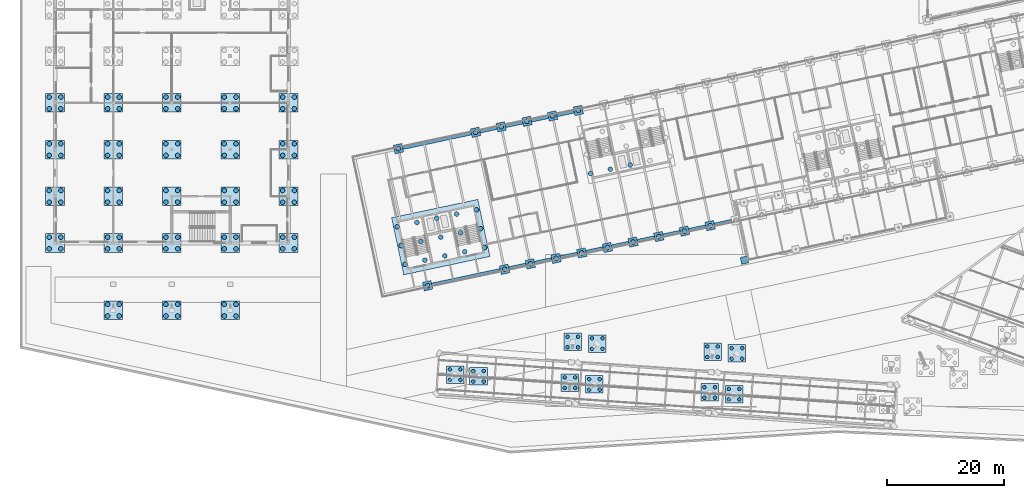
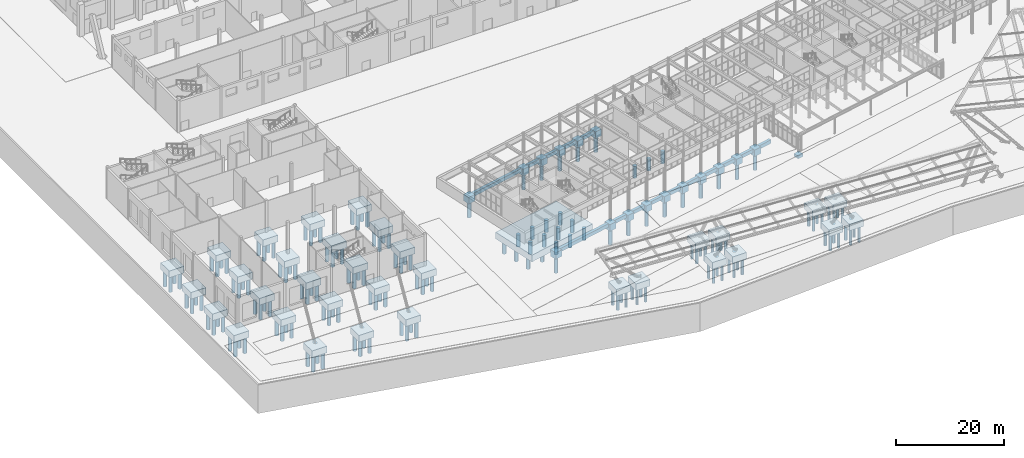
# One storey, part 1 of 239: 166 piles, 66 footings.
"""IFC4 building model written with IfcOpenShell, lengths in metres."""

from ifc_helpers import new_model, si_unit, direction, frame, origin, origin_2d, place, context, subcontext, project, spatial, rectangle, circle, extrude, material, material_profile, profile_set, type_object, element, save


model = new_model("IFC4")

# Units and contexts
model_context = context("Model", 3, precision=1e-05, world=origin(), true_north=direction((0.0, 1.0)))
body_context = subcontext(model_context, "Body", "Model", "MODEL_VIEW")
ifc_project = project(units=[si_unit("LENGTHUNIT", "METRE"), si_unit("AREAUNIT", "SQUARE_METRE"), si_unit("VOLUMEUNIT", "CUBIC_METRE"), si_unit("PLANEANGLEUNIT", "RADIAN"), si_unit("MASSUNIT", "GRAM", prefix="KILO")], contexts=[model_context])

# Site, building, storey
site_placement = place(None, origin())
site = spatial("IfcSite", under=ifc_project, at=site_placement, CompositionType="ELEMENT")
building_placement = place(site_placement, origin())
building = spatial("IfcBuilding", under=site, at=building_placement, Name="Okhra Congress Centre", CompositionType="ELEMENT")
storey_placement = place(building_placement, origin())
storey = spatial("IfcBuildingStorey", under=building, at=storey_placement, Name="L00", CompositionType="ELEMENT", Elevation=0.0)

# Piles
ifc_material_1 = material(Name="Concrete C30/37", Category="concrete")
ifc_material_profile_1 = material_profile(ifc_material_1, circle(Radius=0.300048828125, at=origin_2d()), Name="D600")
ifc_profile_set_1 = profile_set([ifc_material_profile_1], Name="Concrete C30/37")
pile_type_1 = type_object("IfcPileType", Name="Bored pile D600 C30/37", PredefinedType="BORED", material=ifc_profile_set_1)
for number, where, z_axis, x_axis, name in (
    (1, (73.651123046875, 12.541015625, -1.800048828125), (0.0, 0.0, -1.0), (1.0, 0.0, 0.0), "ST.PILE.L00.arcade-1-1"),
    (2, (75.451171875, 12.541015625, -1.800048828125), (0.0, 0.0, -1.0), (1.0, 0.0, 0.0), "ST.PILE.L00.arcade-1-2"),
    (3, (73.651123046875, 14.3408203125, -1.800048828125), (0.0, 0.0, -1.0), (1.0, 0.0, 0.0), "ST.PILE.L00.arcade-1-3"),
    (4, (75.451171875, 14.3408203125, -1.800048828125), (0.0, 0.0, -1.0), (1.0, 0.0, 0.0), "ST.PILE.L00.arcade-1-4"),
    (5, (77.641357421875, 12.261962890625, -1.800048828125), (0.0, 0.0, -1.0), (1.0, 0.0, 0.0), "ST.PILE.L00.arcade-2-1"),
    (6, (79.44140625, 12.261962890625, -1.800048828125), (0.0, 0.0, -1.0), (1.0, 0.0, 0.0), "ST.PILE.L00.arcade-2-2"),
    (7, (77.641357421875, 14.061767578125, -1.800048828125), (0.0, 0.0, -1.0), (1.0, 0.0, 0.0), "ST.PILE.L00.arcade-2-3"),
    (8, (79.44140625, 14.061767578125, -1.800048828125), (0.0, 0.0, -1.0), (1.0, 0.0, 0.0), "ST.PILE.L00.arcade-2-4"),
    (9, (93.30322265625, 11.166748046875, -1.800048828125), (0.0, 0.0, -1.0), (1.0, 0.0, 0.0), "ST.PILE.L00.arcade-3-1"),
    (10, (95.10302734375, 11.166748046875, -1.800048828125), (0.0, 0.0, -1.0), (1.0, 0.0, 0.0), "ST.PILE.L00.arcade-3-2"),
    (11, (93.30322265625, 12.966796875, -1.800048828125), (0.0, 0.0, -1.0), (1.0, 0.0, 0.0), "ST.PILE.L00.arcade-3-3"),
    (12, (95.10302734375, 12.966796875, -1.800048828125), (0.0, 0.0, -1.0), (1.0, 0.0, 0.0), "ST.PILE.L00.arcade-3-4"),
    (13, (97.492919921875, 10.873779296875, -1.800048828125), (0.0, 0.0, -1.0), (1.0, 0.0, 0.0), "ST.PILE.L00.arcade-4-1"),
    (14, (99.29296875, 10.873779296875, -1.800048828125), (0.0, 0.0, -1.0), (1.0, 0.0, 0.0), "ST.PILE.L00.arcade-4-2"),
    (15, (97.492919921875, 12.673828125, -1.800048828125), (0.0, 0.0, -1.0), (1.0, 0.0, 0.0), "ST.PILE.L00.arcade-4-3"),
    (16, (99.29296875, 12.673828125, -1.800048828125), (0.0, 0.0, -1.0), (1.0, 0.0, 0.0), "ST.PILE.L00.arcade-4-4"),
    (17, (93.79150390625, 18.149658203125, -1.800048828125), (0.0, 0.0, -1.0), (1.0, 0.0, 0.0), "ST.PILE.L00.arcade-5-1"),
    (18, (95.59130859375, 18.149658203125, -1.800048828125), (0.0, 0.0, -1.0), (1.0, 0.0, 0.0), "ST.PILE.L00.arcade-5-2"),
    (19, (93.79150390625, 19.94970703125, -1.800048828125), (0.0, 0.0, -1.0), (1.0, 0.0, 0.0), "ST.PILE.L00.arcade-5-3"),
    (20, (95.59130859375, 19.94970703125, -1.800048828125), (0.0, 0.0, -1.0), (1.0, 0.0, 0.0), "ST.PILE.L00.arcade-5-4"),
    (21, (97.981201171875, 17.856689453125, -1.800048828125), (0.0, 0.0, -1.0), (1.0, 0.0, 0.0), "ST.PILE.L00.arcade-6-1"),
    (22, (99.78125, 17.856689453125, -1.800048828125), (0.0, 0.0, -1.0), (1.0, 0.0, 0.0), "ST.PILE.L00.arcade-6-2"),
    (23, (97.981201171875, 19.65673828125, -1.800048828125), (0.0, 0.0, -1.0), (1.0, 0.0, 0.0), "ST.PILE.L00.arcade-6-3"),
    (24, (99.78125, 19.65673828125, -1.800048828125), (0.0, 0.0, -1.0), (1.0, 0.0, 0.0), "ST.PILE.L00.arcade-6-4"),
    (25, (117.24462890625, 9.49267578125, -1.800048828125), (0.0, 0.0, -1.0), (1.0, 0.0, 0.0), "ST.PILE.L00.arcade-7-1"),
    (26, (119.044677734375, 9.49267578125, -1.800048828125), (0.0, 0.0, -1.0), (1.0, 0.0, 0.0), "ST.PILE.L00.arcade-7-2"),
    (27, (117.24462890625, 11.29248046875, -1.800048828125), (0.0, 0.0, -1.0), (1.0, 0.0, 0.0), "ST.PILE.L00.arcade-7-3"),
    (28, (119.044677734375, 11.29248046875, -1.800048828125), (0.0, 0.0, -1.0), (1.0, 0.0, 0.0), "ST.PILE.L00.arcade-7-4"),
    (29, (121.434326171875, 9.199462890625, -1.800048828125), (0.0, 0.0, -1.0), (1.0, 0.0, 0.0), "ST.PILE.L00.arcade-8-1"),
    (30, (123.234375, 9.199462890625, -1.800048828125), (0.0, 0.0, -1.0), (1.0, 0.0, 0.0), "ST.PILE.L00.arcade-8-2"),
    (31, (121.434326171875, 10.99951171875, -1.800048828125), (0.0, 0.0, -1.0), (1.0, 0.0, 0.0), "ST.PILE.L00.arcade-8-3"),
    (32, (123.234375, 10.99951171875, -1.800048828125), (0.0, 0.0, -1.0), (1.0, 0.0, 0.0), "ST.PILE.L00.arcade-8-4"),
    (33, (117.73291015625, 16.4755859375, -1.800048828125), (0.0, 0.0, -1.0), (1.0, 0.0, 0.0), "ST.PILE.L00.arcade-9-1"),
    (34, (119.532958984375, 16.4755859375, -1.800048828125), (0.0, 0.0, -1.0), (1.0, 0.0, 0.0), "ST.PILE.L00.arcade-9-2"),
    (35, (117.73291015625, 18.275390625, -1.800048828125), (0.0, 0.0, -1.0), (1.0, 0.0, 0.0), "ST.PILE.L00.arcade-9-3"),
    (36, (119.532958984375, 18.275390625, -1.800048828125), (0.0, 0.0, -1.0), (1.0, 0.0, 0.0), "ST.PILE.L00.arcade-9-4"),
    (37, (121.922607421875, 16.1826171875, -1.800048828125), (0.0, 0.0, -1.0), (1.0, 0.0, 0.0), "ST.PILE.L00.arcade-10-1"),
    (38, (123.72265625, 16.1826171875, -1.800048828125), (0.0, 0.0, -1.0), (1.0, 0.0, 0.0), "ST.PILE.L00.arcade-10-2"),
    (39, (121.922607421875, 17.982421875, -1.800048828125), (0.0, 0.0, -1.0), (1.0, 0.0, 0.0), "ST.PILE.L00.arcade-10-3"),
    (40, (123.72265625, 17.982421875, -1.800048828125), (0.0, 0.0, -1.0), (1.0, 0.0, 0.0), "ST.PILE.L00.arcade-10-4"),
):
    element("IfcPile", number, at=place(storey_placement, frame(where, z_axis=z_axis, x_axis=x_axis)), inside=storey, type_object=pile_type_1, Name=name, PredefinedType="BORED", context=body_context, shape_type="SweptSolid", body=[
        extrude(circle(Radius=0.300048828125, at=origin_2d()), origin(), (0.0, 0.0, 1.0), 3.699951171875),
    ])
ifc_material_profile_2 = material_profile(ifc_material_1, circle(Radius=0.39990234375, at=origin_2d()), Name="D800")
ifc_profile_set_2 = profile_set([ifc_material_profile_2], Name="Concrete C30/37")
pile_type_2 = type_object("IfcPileType", Name="Bored pile D800", PredefinedType="BORED", material=ifc_profile_set_2)
for number, where, z_axis, x_axis, name in (
    (41, (69.814208984375, 28.680419921875, -1.800048828125), (0.0, 0.0, -1.0), (1.0, 0.0, 0.0), "Pile 1S"),
    (42, (64.824462890625, 52.156005859375, -1.800048828125), (0.0, 0.0, -1.0), (1.0, 0.0, 0.0), "Pile 1N"),
    (43, (83.019287109375, 31.4873046875, -1.800048828125), (0.0, 0.0, -1.0), (1.0, 0.0, 0.0), "Pile 2S"),
    (44, (78.029541015625, 54.962890625, -1.800048828125), (0.0, 0.0, -1.0), (1.0, 0.0, 0.0), "Pile 2N"),
    (45, (87.4208984375, 32.4228515625, -1.800048828125), (0.0, 0.0, -1.0), (1.0, 0.0, 0.0), "Pile 3S"),
    (46, (82.43115234375, 55.8984375, -1.800048828125), (0.0, 0.0, -1.0), (1.0, 0.0, 0.0), "Pile 3N"),
    (47, (91.82275390625, 33.3583984375, -1.800048828125), (0.0, 0.0, -1.0), (1.0, 0.0, 0.0), "Pile 4S"),
    (48, (86.832763671875, 56.833984375, -1.800048828125), (0.0, 0.0, -1.0), (1.0, 0.0, 0.0), "Pile 4N"),
    (49, (96.224365234375, 34.2939453125, -1.800048828125), (0.0, 0.0, -1.0), (1.0, 0.0, 0.0), "Pile 5S"),
    (50, (91.234375, 57.76953125, -1.800048828125), (0.0, 0.0, -1.0), (1.0, 0.0, 0.0), "Pile 5N"),
    (51, (100.6259765625, 35.229736328125, -1.800048828125), (0.0, 0.0, -1.0), (1.0, 0.0, 0.0), "Pile 6S"),
    (52, (95.635986328125, 58.705322265625, -1.800048828125), (0.0, 0.0, -1.0), (1.0, 0.0, 0.0), "Pile 6N"),
    (53, (105.027587890625, 36.165283203125, -1.800048828125), (0.0, 0.0, -1.0), (1.0, 0.0, 0.0), "Pile 7S"),
    (54, (109.42919921875, 37.100830078125, -1.800048828125), (0.0, 0.0, -1.0), (1.0, 0.0, 0.0), "Pile 8S"),
    (55, (113.8310546875, 38.036376953125, -1.800048828125), (0.0, 0.0, -1.0), (1.0, 0.0, 0.0), "Pile 9S"),
    (56, (118.232666015625, 38.97216796875, -1.800048828125), (0.0, 0.0, -1.0), (1.0, 0.0, 0.0), "Pile 10S"),
):
    element("IfcPile", number, at=place(storey_placement, frame(where, z_axis=z_axis, x_axis=x_axis)), inside=storey, type_object=pile_type_2, Name=name, PredefinedType="BORED", context=body_context, shape_type="SweptSolid", body=[
        extrude(circle(Radius=0.39990234375, at=origin_2d()), origin(), (0.0, 0.0, 1.0), 3.699951171875),
    ])
for number, where, z_axis, x_axis, name in (
    (57, (65.97021484375, 32.336181640625, -2.800048828125), (0.0, 0.0, -1.0), (1.0, 0.0, 0.0), "Core pile 1.1"),
    (58, (65.2841796875, 35.56396484375, -2.800048828125), (0.0, 0.0, -1.0), (1.0, 0.0, 0.0), "Core pile 1.2"),
    (59, (64.59814453125, 38.7919921875, -2.800048828125), (0.0, 0.0, -1.0), (1.0, 0.0, 0.0), "Core pile 1.3"),
    (60, (69.369384765625, 33.05859375, -2.800048828125), (0.0, 0.0, -1.0), (1.0, 0.0, 0.0), "Core pile 1.4"),
    (61, (68.68310546875, 36.286376953125, -2.800048828125), (0.0, 0.0, -1.0), (1.0, 0.0, 0.0), "Core pile 1.5"),
    (62, (67.9970703125, 39.514404296875, -2.800048828125), (0.0, 0.0, -1.0), (1.0, 0.0, 0.0), "Core pile 1.6"),
    (63, (72.768310546875, 33.781005859375, -2.800048828125), (0.0, 0.0, -1.0), (1.0, 0.0, 0.0), "Core pile 1.7"),
    (64, (72.082275390625, 37.009033203125, -2.800048828125), (0.0, 0.0, -1.0), (1.0, 0.0, 0.0), "Core pile 1.8"),
    (65, (71.396240234375, 40.23681640625, -2.800048828125), (0.0, 0.0, -1.0), (1.0, 0.0, 0.0), "Core pile 1.9"),
    (66, (76.16748046875, 34.503662109375, -2.800048828125), (0.0, 0.0, -1.0), (1.0, 0.0, 0.0), "Core pile 1.10"),
    (67, (75.4814453125, 37.7314453125, -2.800048828125), (0.0, 0.0, -1.0), (1.0, 0.0, 0.0), "Core pile 1.11"),
    (68, (74.795166015625, 40.95947265625, -2.800048828125), (0.0, 0.0, -1.0), (1.0, 0.0, 0.0), "Core pile 1.12"),
    (69, (79.56640625, 35.22607421875, -2.800048828125), (0.0, 0.0, -1.0), (1.0, 0.0, 0.0), "Core pile 1.13"),
    (70, (78.88037109375, 38.453857421875, -2.800048828125), (0.0, 0.0, -1.0), (1.0, 0.0, 0.0), "Core pile 1.14"),
    (71, (78.1943359375, 41.681884765625, -2.800048828125), (0.0, 0.0, -1.0), (1.0, 0.0, 0.0), "Core pile 1.15"),
    (72, (97.72216796875, 47.928466796875, -2.800048828125), (0.0, 0.0, -1.0), (1.0, 0.0, 0.0), "Core pile 2.1"),
    (73, (101.121337890625, 48.65087890625, -2.800048828125), (0.0, 0.0, -1.0), (1.0, 0.0, 0.0), "Core pile 2.4"),
    (74, (104.5205078125, 49.37353515625, -2.800048828125), (0.0, 0.0, -1.0), (1.0, 0.0, 0.0), "Core pile 2.7"),
):
    element("IfcPile", number, at=place(storey_placement, frame(where, z_axis=z_axis, x_axis=x_axis)), inside=storey, type_object=pile_type_2, Name=name, PredefinedType="BORED", context=body_context, shape_type="SweptSolid", body=[
        extrude(circle(Radius=0.39990234375, at=origin_2d()), origin(), (0.0, 0.0, 1.0), 2.699951171875),
    ])
ifc_material_profile_3 = material_profile(ifc_material_1, circle(Radius=0.39990234375, at=origin_2d()), Name="D800")
ifc_profile_set_3 = profile_set([ifc_material_profile_3], Name="Concrete C30/37")
pile_type_3 = type_object("IfcPileType", Name="Bored pile D800 C30/37", PredefinedType="BORED", material=ifc_profile_set_3)
for number, where, z_axis, x_axis, name in (
    (75, (5.0, 35.0, -1.800048828125), (0.0, 0.0, -1.0), (1.0, 0.0, 0.0), "RS.PILE.L00.1.1"),
    (76, (7.0, 35.0, -1.800048828125), (0.0, 0.0, -1.0), (1.0, 0.0, 0.0), "RS.PILE.L00.1.2"),
    (77, (5.0, 37.0, -1.800048828125), (0.0, 0.0, -1.0), (1.0, 0.0, 0.0), "RS.PILE.L00.1.3"),
    (78, (7.0, 37.0, -1.800048828125), (0.0, 0.0, -1.0), (1.0, 0.0, 0.0), "RS.PILE.L00.1.4"),
    (79, (5.0, 43.0, -1.800048828125), (0.0, 0.0, -1.0), (1.0, 0.0, 0.0), "RS.PILE.L00.2.1"),
    (80, (7.0, 43.0, -1.800048828125), (0.0, 0.0, -1.0), (1.0, 0.0, 0.0), "RS.PILE.L00.2.2"),
    (81, (5.0, 45.0, -1.800048828125), (0.0, 0.0, -1.0), (1.0, 0.0, 0.0), "RS.PILE.L00.2.3"),
    (82, (7.0, 45.0, -1.800048828125), (0.0, 0.0, -1.0), (1.0, 0.0, 0.0), "RS.PILE.L00.2.4"),
    (83, (5.0, 51.0, -1.800048828125), (0.0, 0.0, -1.0), (1.0, 0.0, 0.0), "RS.PILE.L00.3.1"),
    (84, (7.0, 51.0, -1.800048828125), (0.0, 0.0, -1.0), (1.0, 0.0, 0.0), "RS.PILE.L00.3.2"),
    (85, (5.0, 53.0, -1.800048828125), (0.0, 0.0, -1.0), (1.0, 0.0, 0.0), "RS.PILE.L00.3.3"),
    (86, (7.0, 53.0, -1.800048828125), (0.0, 0.0, -1.0), (1.0, 0.0, 0.0), "RS.PILE.L00.3.4"),
    (87, (5.0, 59.0, -1.800048828125), (0.0, 0.0, -1.0), (1.0, 0.0, 0.0), "RS.PILE.L00.4.1"),
    (88, (7.0, 59.0, -1.800048828125), (0.0, 0.0, -1.0), (1.0, 0.0, 0.0), "RS.PILE.L00.4.2"),
    (89, (5.0, 61.0, -1.800048828125), (0.0, 0.0, -1.0), (1.0, 0.0, 0.0), "RS.PILE.L00.4.3"),
    (90, (7.0, 61.0, -1.800048828125), (0.0, 0.0, -1.0), (1.0, 0.0, 0.0), "RS.PILE.L00.4.4"),
    (91, (15.0, 35.0, -1.800048828125), (0.0, 0.0, -1.0), (1.0, 0.0, 0.0), "RS.PILE.L00.8.1"),
    (92, (17.0, 35.0, -1.800048828125), (0.0, 0.0, -1.0), (1.0, 0.0, 0.0), "RS.PILE.L00.8.2"),
    (93, (15.0, 37.0, -1.800048828125), (0.0, 0.0, -1.0), (1.0, 0.0, 0.0), "RS.PILE.L00.8.3"),
    (94, (17.0, 37.0, -1.800048828125), (0.0, 0.0, -1.0), (1.0, 0.0, 0.0), "RS.PILE.L00.8.4"),
    (95, (15.0, 43.0, -1.800048828125), (0.0, 0.0, -1.0), (1.0, 0.0, 0.0), "RS.PILE.L00.9.1"),
    (96, (17.0, 43.0, -1.800048828125), (0.0, 0.0, -1.0), (1.0, 0.0, 0.0), "RS.PILE.L00.9.2"),
    (97, (15.0, 45.0, -1.800048828125), (0.0, 0.0, -1.0), (1.0, 0.0, 0.0), "RS.PILE.L00.9.3"),
    (98, (17.0, 45.0, -1.800048828125), (0.0, 0.0, -1.0), (1.0, 0.0, 0.0), "RS.PILE.L00.9.4"),
    (99, (15.0, 51.0, -1.800048828125), (0.0, 0.0, -1.0), (1.0, 0.0, 0.0), "RS.PILE.L00.10.1"),
    (100, (17.0, 51.0, -1.800048828125), (0.0, 0.0, -1.0), (1.0, 0.0, 0.0), "RS.PILE.L00.10.2"),
    (101, (15.0, 53.0, -1.800048828125), (0.0, 0.0, -1.0), (1.0, 0.0, 0.0), "RS.PILE.L00.10.3"),
    (102, (17.0, 53.0, -1.800048828125), (0.0, 0.0, -1.0), (1.0, 0.0, 0.0), "RS.PILE.L00.10.4"),
    (103, (15.0, 59.0, -1.800048828125), (0.0, 0.0, -1.0), (1.0, 0.0, 0.0), "RS.PILE.L00.11.1"),
    (104, (17.0, 59.0, -1.800048828125), (0.0, 0.0, -1.0), (1.0, 0.0, 0.0), "RS.PILE.L00.11.2"),
    (105, (15.0, 61.0, -1.800048828125), (0.0, 0.0, -1.0), (1.0, 0.0, 0.0), "RS.PILE.L00.11.3"),
    (106, (17.0, 61.0, -1.800048828125), (0.0, 0.0, -1.0), (1.0, 0.0, 0.0), "RS.PILE.L00.11.4"),
    (107, (25.0, 35.0, -1.800048828125), (0.0, 0.0, -1.0), (1.0, 0.0, 0.0), "RS.PILE.L00.15.1"),
    (108, (27.0, 35.0, -1.800048828125), (0.0, 0.0, -1.0), (1.0, 0.0, 0.0), "RS.PILE.L00.15.2"),
    (109, (25.0, 37.0, -1.800048828125), (0.0, 0.0, -1.0), (1.0, 0.0, 0.0), "RS.PILE.L00.15.3"),
    (110, (27.0, 37.0, -1.800048828125), (0.0, 0.0, -1.0), (1.0, 0.0, 0.0), "RS.PILE.L00.15.4"),
    (111, (25.0, 43.0, -1.800048828125), (0.0, 0.0, -1.0), (1.0, 0.0, 0.0), "RS.PILE.L00.16.1"),
    (112, (27.0, 43.0, -1.800048828125), (0.0, 0.0, -1.0), (1.0, 0.0, 0.0), "RS.PILE.L00.16.2"),
    (113, (25.0, 45.0, -1.800048828125), (0.0, 0.0, -1.0), (1.0, 0.0, 0.0), "RS.PILE.L00.16.3"),
    (114, (27.0, 45.0, -1.800048828125), (0.0, 0.0, -1.0), (1.0, 0.0, 0.0), "RS.PILE.L00.16.4"),
    (115, (25.0, 51.0, -1.800048828125), (0.0, 0.0, -1.0), (1.0, 0.0, 0.0), "RS.PILE.L00.17.1"),
    (116, (27.0, 51.0, -1.800048828125), (0.0, 0.0, -1.0), (1.0, 0.0, 0.0), "RS.PILE.L00.17.2"),
    (117, (25.0, 53.0, -1.800048828125), (0.0, 0.0, -1.0), (1.0, 0.0, 0.0), "RS.PILE.L00.17.3"),
    (118, (27.0, 53.0, -1.800048828125), (0.0, 0.0, -1.0), (1.0, 0.0, 0.0), "RS.PILE.L00.17.4"),
    (119, (25.0, 59.0, -1.800048828125), (0.0, 0.0, -1.0), (1.0, 0.0, 0.0), "RS.PILE.L00.18.1"),
    (120, (27.0, 59.0, -1.800048828125), (0.0, 0.0, -1.0), (1.0, 0.0, 0.0), "RS.PILE.L00.18.2"),
    (121, (25.0, 61.0, -1.800048828125), (0.0, 0.0, -1.0), (1.0, 0.0, 0.0), "RS.PILE.L00.18.3"),
    (122, (27.0, 61.0, -1.800048828125), (0.0, 0.0, -1.0), (1.0, 0.0, 0.0), "RS.PILE.L00.18.4"),
    (123, (35.0, 35.0, -1.800048828125), (0.0, 0.0, -1.0), (1.0, 0.0, 0.0), "RS.PILE.L00.22.1"),
    (124, (37.0, 35.0, -1.800048828125), (0.0, 0.0, -1.0), (1.0, 0.0, 0.0), "RS.PILE.L00.22.2"),
    (125, (35.0, 37.0, -1.800048828125), (0.0, 0.0, -1.0), (1.0, 0.0, 0.0), "RS.PILE.L00.22.3"),
    (126, (37.0, 37.0, -1.800048828125), (0.0, 0.0, -1.0), (1.0, 0.0, 0.0), "RS.PILE.L00.22.4"),
    (127, (35.0, 43.0, -1.800048828125), (0.0, 0.0, -1.0), (1.0, 0.0, 0.0), "RS.PILE.L00.23.1"),
    (128, (37.0, 43.0, -1.800048828125), (0.0, 0.0, -1.0), (1.0, 0.0, 0.0), "RS.PILE.L00.23.2"),
    (129, (35.0, 45.0, -1.800048828125), (0.0, 0.0, -1.0), (1.0, 0.0, 0.0), "RS.PILE.L00.23.3"),
    (130, (37.0, 45.0, -1.800048828125), (0.0, 0.0, -1.0), (1.0, 0.0, 0.0), "RS.PILE.L00.23.4"),
    (131, (35.0, 51.0, -1.800048828125), (0.0, 0.0, -1.0), (1.0, 0.0, 0.0), "RS.PILE.L00.24.1"),
    (132, (37.0, 51.0, -1.800048828125), (0.0, 0.0, -1.0), (1.0, 0.0, 0.0), "RS.PILE.L00.24.2"),
    (133, (35.0, 53.0, -1.800048828125), (0.0, 0.0, -1.0), (1.0, 0.0, 0.0), "RS.PILE.L00.24.3"),
    (134, (37.0, 53.0, -1.800048828125), (0.0, 0.0, -1.0), (1.0, 0.0, 0.0), "RS.PILE.L00.24.4"),
    (135, (35.0, 59.0, -1.800048828125), (0.0, 0.0, -1.0), (1.0, 0.0, 0.0), "RS.PILE.L00.25.1"),
    (136, (37.0, 59.0, -1.800048828125), (0.0, 0.0, -1.0), (1.0, 0.0, 0.0), "RS.PILE.L00.25.2"),
    (137, (35.0, 61.0, -1.800048828125), (0.0, 0.0, -1.0), (1.0, 0.0, 0.0), "RS.PILE.L00.25.3"),
    (138, (37.0, 61.0, -1.800048828125), (0.0, 0.0, -1.0), (1.0, 0.0, 0.0), "RS.PILE.L00.25.4"),
    (139, (45.0, 35.0, -1.800048828125), (0.0, 0.0, -1.0), (1.0, 0.0, 0.0), "RS.PILE.L00.29.1"),
    (140, (47.0, 35.0, -1.800048828125), (0.0, 0.0, -1.0), (1.0, 0.0, 0.0), "RS.PILE.L00.29.2"),
    (141, (45.0, 37.0, -1.800048828125), (0.0, 0.0, -1.0), (1.0, 0.0, 0.0), "RS.PILE.L00.29.3"),
    (142, (47.0, 37.0, -1.800048828125), (0.0, 0.0, -1.0), (1.0, 0.0, 0.0), "RS.PILE.L00.29.4"),
    (143, (45.0, 43.0, -1.800048828125), (0.0, 0.0, -1.0), (1.0, 0.0, 0.0), "RS.PILE.L00.30.1"),
    (144, (47.0, 43.0, -1.800048828125), (0.0, 0.0, -1.0), (1.0, 0.0, 0.0), "RS.PILE.L00.30.2"),
    (145, (45.0, 45.0, -1.800048828125), (0.0, 0.0, -1.0), (1.0, 0.0, 0.0), "RS.PILE.L00.30.3"),
    (146, (47.0, 45.0, -1.800048828125), (0.0, 0.0, -1.0), (1.0, 0.0, 0.0), "RS.PILE.L00.30.4"),
    (147, (45.0, 51.0, -1.800048828125), (0.0, 0.0, -1.0), (1.0, 0.0, 0.0), "RS.PILE.L00.31.1"),
    (148, (47.0, 51.0, -1.800048828125), (0.0, 0.0, -1.0), (1.0, 0.0, 0.0), "RS.PILE.L00.31.2"),
    (149, (45.0, 53.0, -1.800048828125), (0.0, 0.0, -1.0), (1.0, 0.0, 0.0), "RS.PILE.L00.31.3"),
    (150, (47.0, 53.0, -1.800048828125), (0.0, 0.0, -1.0), (1.0, 0.0, 0.0), "RS.PILE.L00.31.4"),
    (151, (45.0, 59.0, -1.800048828125), (0.0, 0.0, -1.0), (1.0, 0.0, 0.0), "RS.PILE.L00.32.1"),
    (152, (47.0, 59.0, -1.800048828125), (0.0, 0.0, -1.0), (1.0, 0.0, 0.0), "RS.PILE.L00.32.2"),
    (153, (45.0, 61.0, -1.800048828125), (0.0, 0.0, -1.0), (1.0, 0.0, 0.0), "RS.PILE.L00.32.3"),
    (154, (47.0, 61.0, -1.800048828125), (0.0, 0.0, -1.0), (1.0, 0.0, 0.0), "RS.PILE.L00.32.4"),
    (155, (15.0, 23.5, -1.800048828125), (0.0, 0.0, -1.0), (1.0, 0.0, 0.0), "RS.PILE.L00.strut-1-1"),
    (156, (17.0, 23.5, -1.800048828125), (0.0, 0.0, -1.0), (1.0, 0.0, 0.0), "RS.PILE.L00.strut-1-2"),
    (157, (15.0, 25.5, -1.800048828125), (0.0, 0.0, -1.0), (1.0, 0.0, 0.0), "RS.PILE.L00.strut-1-3"),
    (158, (17.0, 25.5, -1.800048828125), (0.0, 0.0, -1.0), (1.0, 0.0, 0.0), "RS.PILE.L00.strut-1-4"),
    (159, (25.0, 23.5, -1.800048828125), (0.0, 0.0, -1.0), (1.0, 0.0, 0.0), "RS.PILE.L00.strut-2-1"),
    (160, (27.0, 23.5, -1.800048828125), (0.0, 0.0, -1.0), (1.0, 0.0, 0.0), "RS.PILE.L00.strut-2-2"),
    (161, (25.0, 25.5, -1.800048828125), (0.0, 0.0, -1.0), (1.0, 0.0, 0.0), "RS.PILE.L00.strut-2-3"),
    (162, (27.0, 25.5, -1.800048828125), (0.0, 0.0, -1.0), (1.0, 0.0, 0.0), "RS.PILE.L00.strut-2-4"),
    (163, (35.0, 23.5, -1.800048828125), (0.0, 0.0, -1.0), (1.0, 0.0, 0.0), "RS.PILE.L00.strut-3-1"),
    (164, (37.0, 23.5, -1.800048828125), (0.0, 0.0, -1.0), (1.0, 0.0, 0.0), "RS.PILE.L00.strut-3-2"),
    (165, (35.0, 25.5, -1.800048828125), (0.0, 0.0, -1.0), (1.0, 0.0, 0.0), "RS.PILE.L00.strut-3-3"),
    (166, (37.0, 25.5, -1.800048828125), (0.0, 0.0, -1.0), (1.0, 0.0, 0.0), "RS.PILE.L00.strut-3-4"),
):
    element("IfcPile", number, at=place(storey_placement, frame(where, z_axis=z_axis, x_axis=x_axis)), inside=storey, type_object=pile_type_3, Name=name, PredefinedType="BORED", context=body_context, shape_type="SweptSolid", body=[
        extrude(circle(Radius=0.39990234375, at=origin_2d()), origin(), (0.0, 0.0, 1.0), 3.699951171875),
    ])

# Footings
ifc_material_2 = material(Name="Concrete C35/45", Category="concrete")
footing_type_1 = type_object("IfcFootingType", Name="Core raft cap 15100x10000x1500", PredefinedType="PILE_CAP", material=ifc_material_2)
footing_1_placement = place(storey_placement, frame((72.082275390625, 37.009033203125, -2.89990234375), z_axis=(0.0, 0.0, 1.0), x_axis=(0.978147600734, 0.207911690818, 0.0)))
element("IfcFooting", 167, at=footing_1_placement, inside=storey, type_object=footing_type_1, Name="Core raft cap 1", PredefinedType="PILE_CAP", context=body_context, shape_type="SweptSolid", body=[
    extrude(rectangle(XDim=15.10009765625, YDim=10.0, at=origin_2d()), origin(), (0.0, 0.0, 1.0), 1.5),
])
footing_type_2 = type_object("IfcFootingType", Name="Ground beam 600x800", PredefinedType="FOOTING_BEAM", material=ifc_material_2)
footing_2_placement = place(storey_placement, frame((76.416748046875, 30.083740234375, -1.2001953125), z_axis=(0.0, 0.0, 1.0), x_axis=(0.978147600734, 0.207911690818, 0.0)))
element("IfcFooting", 168, at=footing_2_placement, inside=storey, type_object=footing_type_2, Name="Ground beam S1", PredefinedType="FOOTING_BEAM", context=body_context, shape_type="SweptSolid", body=[
    extrude(rectangle(XDim=12.0, YDim=0.60009765625, at=origin_2d()), origin(), (0.0, 0.0, 1.0), 0.800048828125),
])
for number, where, z_axis, x_axis, name in (
    (169, (85.22021484375, 31.955078125, -1.2001953125), (0.0, 0.0, 1.0), (0.978147600734, 0.207911690818, 0.0), "Ground beam S2"),
    (170, (89.621826171875, 32.890625, -1.2001953125), (0.0, 0.0, 1.0), (0.978147600734, 0.207911690818, 0.0), "Ground beam S3"),
    (171, (94.0234375, 33.826171875, -1.2001953125), (0.0, 0.0, 1.0), (0.978147600734, 0.207911690818, 0.0), "Ground beam S4"),
    (172, (98.425048828125, 34.761962890625, -1.2001953125), (0.0, 0.0, 1.0), (0.978147600734, 0.207911690818, 0.0), "Ground beam S5"),
    (173, (102.826904296875, 35.697509765625, -1.2001953125), (0.0, 0.0, 1.0), (0.978147600734, 0.207911690818, 0.0), "Ground beam S6"),
    (174, (107.228515625, 36.633056640625, -1.2001953125), (0.0, 0.0, 1.0), (0.978147600734, 0.207911690818, 0.0), "Ground beam S7"),
    (175, (111.630126953125, 37.568603515625, -1.2001953125), (0.0, 0.0, 1.0), (0.978147600734, 0.207911690818, 0.0), "Ground beam S8"),
    (176, (116.03173828125, 38.504150390625, -1.2001953125), (0.0, 0.0, 1.0), (0.978147600734, 0.207911690818, 0.0), "Ground beam S9"),
    (177, (120.433349609375, 39.43994140625, -1.2001953125), (0.0, 0.0, 1.0), (0.978147600734, 0.207911690818, 0.0), "Ground beam S10"),
):
    element("IfcFooting", number, at=place(storey_placement, frame(where, z_axis=z_axis, x_axis=x_axis)), inside=storey, type_object=footing_type_2, Name=name, PredefinedType="FOOTING_BEAM", context=body_context, shape_type="SweptSolid", body=[
        extrude(rectangle(XDim=3.0, YDim=0.60009765625, at=origin_2d()), origin(), (0.0, 0.0, 1.0), 0.800048828125),
    ])
footing_3_placement = place(storey_placement, frame((71.427001953125, 53.559326171875, -1.2001953125), z_axis=(0.0, 0.0, 1.0), x_axis=(0.978147600734, 0.207911690818, 0.0)))
element("IfcFooting", 178, at=footing_3_placement, inside=storey, type_object=footing_type_2, Name="Ground beam N1", PredefinedType="FOOTING_BEAM", context=body_context, shape_type="SweptSolid", body=[
    extrude(rectangle(XDim=12.0, YDim=0.60009765625, at=origin_2d()), origin(), (0.0, 0.0, 1.0), 0.800048828125),
])
for number, where, z_axis, x_axis, name in (
    (179, (80.230224609375, 55.4306640625, -1.2001953125), (0.0, 0.0, 1.0), (0.978147600734, 0.207911690818, 0.0), "Ground beam N2"),
    (180, (84.6318359375, 56.3662109375, -1.2001953125), (0.0, 0.0, 1.0), (0.978147600734, 0.207911690818, 0.0), "Ground beam N3"),
    (181, (89.03369140625, 57.3017578125, -1.2001953125), (0.0, 0.0, 1.0), (0.978147600734, 0.207911690818, 0.0), "Ground beam N4"),
    (182, (93.435302734375, 58.2373046875, -1.2001953125), (0.0, 0.0, 1.0), (0.978147600734, 0.207911690818, 0.0), "Ground beam N5"),
):
    element("IfcFooting", number, at=place(storey_placement, frame(where, z_axis=z_axis, x_axis=x_axis)), inside=storey, type_object=footing_type_2, Name=name, PredefinedType="FOOTING_BEAM", context=body_context, shape_type="SweptSolid", body=[
        extrude(rectangle(XDim=3.0, YDim=0.60009765625, at=origin_2d()), origin(), (0.0, 0.0, 1.0), 0.800048828125),
    ])
footing_type_3 = type_object("IfcFootingType", Name="Pad footing 1200x1200x600", PredefinedType="PAD_FOOTING", material=ifc_material_2)
footing_4_placement = place(storey_placement, frame((124.089599609375, 33.060546875, -1.0), z_axis=(0.0, 0.0, 1.0), x_axis=(0.978147600734, 0.207911690818, 0.0)))
element("IfcFooting", 183, at=footing_4_placement, inside=storey, type_object=footing_type_3, Name="Porch pad S1", PredefinedType="PAD_FOOTING", context=body_context, shape_type="SweptSolid", body=[
    extrude(rectangle(XDim=1.199951171875, YDim=1.199951171875, at=origin_2d()), origin(), (0.0, 0.0, 1.0), 0.60009765625),
])
footing_type_4 = type_object("IfcFootingType", Name="Pile cap 1500x1500x1500", PredefinedType="PILE_CAP", material=ifc_material_2)
for number, where, z_axis, x_axis, name in (
    (184, (69.814208984375, 28.680419921875, -1.89990234375), (0.0, 0.0, 1.0), (0.978147600734, 0.207911690818, 0.0), "Pile cap 1S"),
    (185, (64.824462890625, 52.156005859375, -1.89990234375), (0.0, 0.0, 1.0), (0.978147600734, 0.207911690818, 0.0), "Pile cap 1N"),
    (186, (83.019287109375, 31.4873046875, -1.89990234375), (0.0, 0.0, 1.0), (0.978147600734, 0.207911690818, 0.0), "Pile cap 2S"),
    (187, (78.029541015625, 54.962890625, -1.89990234375), (0.0, 0.0, 1.0), (0.978147600734, 0.207911690818, 0.0), "Pile cap 2N"),
    (188, (87.4208984375, 32.4228515625, -1.89990234375), (0.0, 0.0, 1.0), (0.978147600734, 0.207911690818, 0.0), "Pile cap 3S"),
    (189, (82.43115234375, 55.8984375, -1.89990234375), (0.0, 0.0, 1.0), (0.978147600734, 0.207911690818, 0.0), "Pile cap 3N"),
    (190, (91.82275390625, 33.3583984375, -1.89990234375), (0.0, 0.0, 1.0), (0.978147600734, 0.207911690818, 0.0), "Pile cap 4S"),
    (191, (86.832763671875, 56.833984375, -1.89990234375), (0.0, 0.0, 1.0), (0.978147600734, 0.207911690818, 0.0), "Pile cap 4N"),
    (192, (96.224365234375, 34.2939453125, -1.89990234375), (0.0, 0.0, 1.0), (0.978147600734, 0.207911690818, 0.0), "Pile cap 5S"),
    (193, (91.234375, 57.76953125, -1.89990234375), (0.0, 0.0, 1.0), (0.978147600734, 0.207911690818, 0.0), "Pile cap 5N"),
    (194, (100.6259765625, 35.229736328125, -1.89990234375), (0.0, 0.0, 1.0), (0.978147600734, 0.207911690818, 0.0), "Pile cap 6S"),
    (195, (95.635986328125, 58.705322265625, -1.89990234375), (0.0, 0.0, 1.0), (0.978147600734, 0.207911690818, 0.0), "Pile cap 6N"),
    (196, (105.027587890625, 36.165283203125, -1.89990234375), (0.0, 0.0, 1.0), (0.978147600734, 0.207911690818, 0.0), "Pile cap 7S"),
    (197, (109.42919921875, 37.100830078125, -1.89990234375), (0.0, 0.0, 1.0), (0.978147600734, 0.207911690818, 0.0), "Pile cap 8S"),
    (198, (113.8310546875, 38.036376953125, -1.89990234375), (0.0, 0.0, 1.0), (0.978147600734, 0.207911690818, 0.0), "Pile cap 9S"),
    (199, (118.232666015625, 38.97216796875, -1.89990234375), (0.0, 0.0, 1.0), (0.978147600734, 0.207911690818, 0.0), "Pile cap 10S"),
):
    element("IfcFooting", number, at=place(storey_placement, frame(where, z_axis=z_axis, x_axis=x_axis)), inside=storey, type_object=footing_type_4, Name=name, PredefinedType="PILE_CAP", context=body_context, shape_type="SweptSolid", body=[
        extrude(rectangle(XDim=1.5, YDim=1.5, at=origin_2d()), origin(), (0.0, 0.0, 1.0), 1.5),
    ])
footing_type_5 = type_object("IfcFootingType", Name="Pile cap 3000x3000x1500 C35/45", PredefinedType="PILE_CAP", material=ifc_material_2)
for number, where, z_axis, x_axis, name in (
    (200, (74.551025390625, 13.44091796875, -1.89990234375), (0.0, 0.0, 1.0), (1.0, 0.0, 0.0), "ST.FTG.L00.arcade-cap-1"),
    (201, (78.541259765625, 13.161865234375, -1.89990234375), (0.0, 0.0, 1.0), (1.0, 0.0, 0.0), "ST.FTG.L00.arcade-cap-2"),
    (202, (94.203125, 12.066650390625, -1.89990234375), (0.0, 0.0, 1.0), (1.0, 0.0, 0.0), "ST.FTG.L00.arcade-cap-3"),
    (203, (98.392822265625, 11.773681640625, -1.89990234375), (0.0, 0.0, 1.0), (1.0, 0.0, 0.0), "ST.FTG.L00.arcade-cap-4"),
    (204, (94.69140625, 19.049560546875, -1.89990234375), (0.0, 0.0, 1.0), (1.0, 0.0, 0.0), "ST.FTG.L00.arcade-cap-5"),
    (205, (98.881103515625, 18.756591796875, -1.89990234375), (0.0, 0.0, 1.0), (1.0, 0.0, 0.0), "ST.FTG.L00.arcade-cap-6"),
    (206, (118.144775390625, 10.392578125, -1.89990234375), (0.0, 0.0, 1.0), (1.0, 0.0, 0.0), "ST.FTG.L00.arcade-cap-7"),
    (207, (122.33447265625, 10.099609375, -1.89990234375), (0.0, 0.0, 1.0), (1.0, 0.0, 0.0), "ST.FTG.L00.arcade-cap-8"),
    (208, (118.633056640625, 17.37548828125, -1.89990234375), (0.0, 0.0, 1.0), (1.0, 0.0, 0.0), "ST.FTG.L00.arcade-cap-9"),
    (209, (122.82275390625, 17.08251953125, -1.89990234375), (0.0, 0.0, 1.0), (1.0, 0.0, 0.0), "ST.FTG.L00.arcade-cap-10"),
):
    element("IfcFooting", number, at=place(storey_placement, frame(where, z_axis=z_axis, x_axis=x_axis)), inside=storey, type_object=footing_type_5, Name=name, PredefinedType="PILE_CAP", context=body_context, shape_type="SweptSolid", body=[
        extrude(rectangle(XDim=3.0, YDim=3.0, at=origin_2d()), origin(), (0.0, 0.0, 1.0), 1.5),
    ])
footing_type_6 = type_object("IfcFootingType", Name="Pile cap 3200x3200x1500 C30/37", PredefinedType="PILE_CAP", material=ifc_material_1)
for number, where, z_axis, x_axis, name in (
    (210, (6.0, 36.0, -1.89990234375), (0.0, 0.0, 1.0), (1.0, 0.0, 0.0), "RS.FTG.L00.1"),
    (211, (6.0, 44.0, -1.89990234375), (0.0, 0.0, 1.0), (1.0, 0.0, 0.0), "RS.FTG.L00.2"),
    (212, (6.0, 52.0, -1.89990234375), (0.0, 0.0, 1.0), (1.0, 0.0, 0.0), "RS.FTG.L00.3"),
    (213, (6.0, 60.0, -1.89990234375), (0.0, 0.0, 1.0), (1.0, 0.0, 0.0), "RS.FTG.L00.4"),
    (214, (16.0, 36.0, -1.89990234375), (0.0, 0.0, 1.0), (1.0, 0.0, 0.0), "RS.FTG.L00.8"),
    (215, (16.0, 44.0, -1.89990234375), (0.0, 0.0, 1.0), (1.0, 0.0, 0.0), "RS.FTG.L00.9"),
    (216, (16.0, 52.0, -1.89990234375), (0.0, 0.0, 1.0), (1.0, 0.0, 0.0), "RS.FTG.L00.10"),
    (217, (16.0, 60.0, -1.89990234375), (0.0, 0.0, 1.0), (1.0, 0.0, 0.0), "RS.FTG.L00.11"),
    (218, (26.0, 36.0, -1.89990234375), (0.0, 0.0, 1.0), (1.0, 0.0, 0.0), "RS.FTG.L00.15"),
    (219, (26.0, 44.0, -1.89990234375), (0.0, 0.0, 1.0), (1.0, 0.0, 0.0), "RS.FTG.L00.16"),
    (220, (26.0, 52.0, -1.89990234375), (0.0, 0.0, 1.0), (1.0, 0.0, 0.0), "RS.FTG.L00.17"),
    (221, (26.0, 60.0, -1.89990234375), (0.0, 0.0, 1.0), (1.0, 0.0, 0.0), "RS.FTG.L00.18"),
    (222, (36.0, 36.0, -1.89990234375), (0.0, 0.0, 1.0), (1.0, 0.0, 0.0), "RS.FTG.L00.22"),
    (223, (36.0, 44.0, -1.89990234375), (0.0, 0.0, 1.0), (1.0, 0.0, 0.0), "RS.FTG.L00.23"),
    (224, (36.0, 52.0, -1.89990234375), (0.0, 0.0, 1.0), (1.0, 0.0, 0.0), "RS.FTG.L00.24"),
    (225, (36.0, 60.0, -1.89990234375), (0.0, 0.0, 1.0), (1.0, 0.0, 0.0), "RS.FTG.L00.25"),
    (226, (46.0, 36.0, -1.89990234375), (0.0, 0.0, 1.0), (1.0, 0.0, 0.0), "RS.FTG.L00.29"),
    (227, (46.0, 44.0, -1.89990234375), (0.0, 0.0, 1.0), (1.0, 0.0, 0.0), "RS.FTG.L00.30"),
    (228, (46.0, 52.0, -1.89990234375), (0.0, 0.0, 1.0), (1.0, 0.0, 0.0), "RS.FTG.L00.31"),
    (229, (46.0, 60.0, -1.89990234375), (0.0, 0.0, 1.0), (1.0, 0.0, 0.0), "RS.FTG.L00.32"),
    (230, (16.0, 24.5, -1.89990234375), (0.0, 0.0, 1.0), (1.0, 0.0, 0.0), "RS.FTG.L00.strut-cap-1"),
    (231, (26.0, 24.5, -1.89990234375), (0.0, 0.0, 1.0), (1.0, 0.0, 0.0), "RS.FTG.L00.strut-cap-2"),
    (232, (36.0, 24.5, -1.89990234375), (0.0, 0.0, 1.0), (1.0, 0.0, 0.0), "RS.FTG.L00.strut-cap-3"),
):
    element("IfcFooting", number, at=place(storey_placement, frame(where, z_axis=z_axis, x_axis=x_axis)), inside=storey, type_object=footing_type_6, Name=name, PredefinedType="PILE_CAP", context=body_context, shape_type="SweptSolid", body=[
        extrude(rectangle(XDim=3.199951171875, YDim=3.199951171875, at=origin_2d()), origin(), (0.0, 0.0, 1.0), 1.5),
    ])

save(model, "model.ifc")
